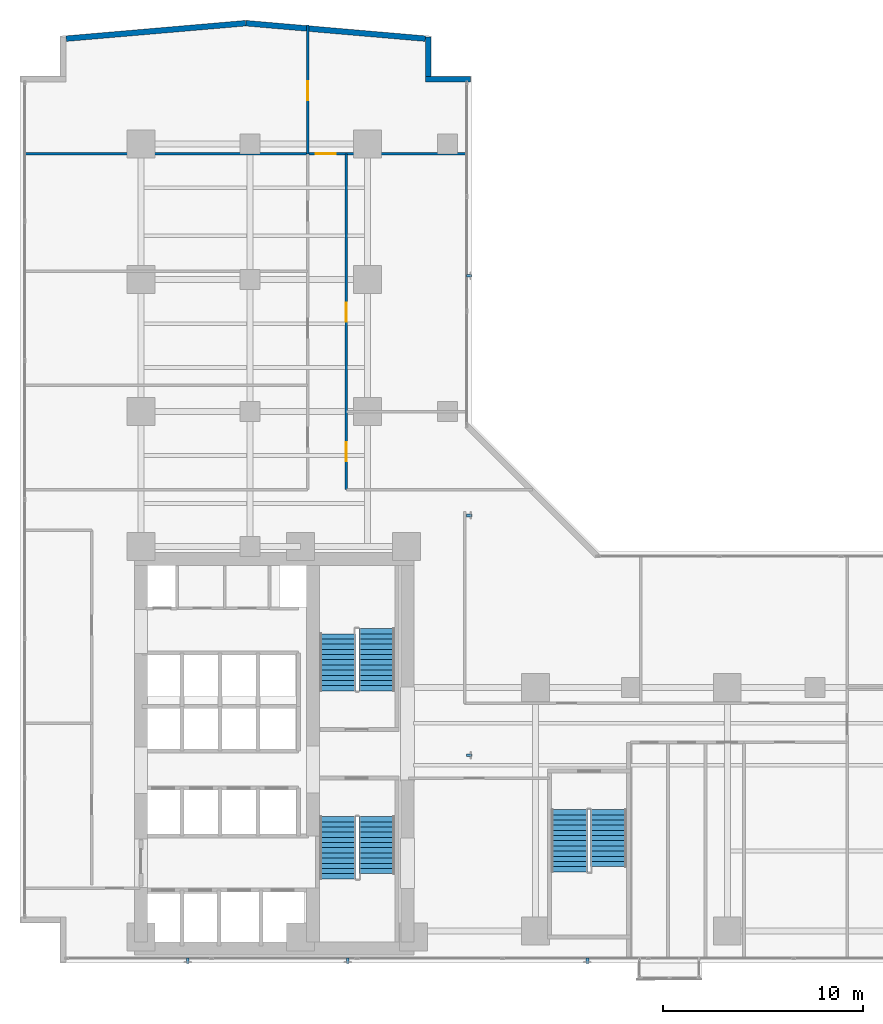
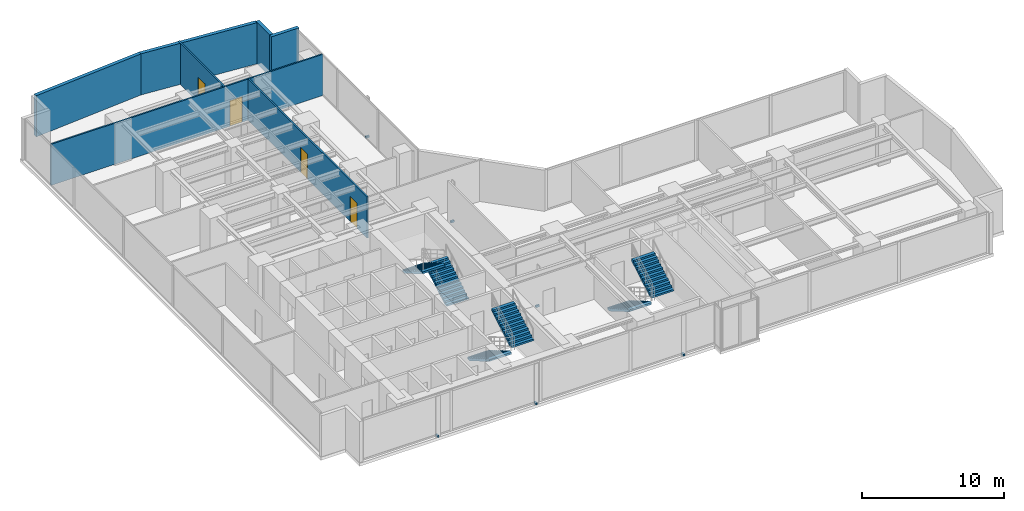
# One storey, part 23 of 26: 7 walls, 6 discrete accessories, 6 stair flights, 4 doors, 4 openings, 3 elements without a shape of their own.
"""IFC4 building model written with IfcOpenShell, lengths in metres."""

from ifc_helpers import new_model, si_unit, direction, frame, frame_2d, origin, origin_with_axes, origin_2d, place, context, subcontext, project, spatial, polyline, rectangle, outline, extrude, source, transform, mapped, material, layer, layer_set, type_object, element, fill, aggregate, save


model = new_model("IFC4")

# Units and contexts
model_context = context("Model", 3, precision=1e-05, world=origin(), true_north=direction((0.0, 1.0)))
body_context = subcontext(model_context, "Body", "Model", "MODEL_VIEW")
ifc_project = project(units=[si_unit("LENGTHUNIT", "METRE"), si_unit("AREAUNIT", "SQUARE_METRE"), si_unit("VOLUMEUNIT", "CUBIC_METRE"), si_unit("PLANEANGLEUNIT", "RADIAN"), si_unit("MASSUNIT", "GRAM", prefix="KILO")], contexts=[model_context])

# Site, building, storey
site_placement = place(None, origin())
site = spatial("IfcSite", under=ifc_project, at=site_placement, CompositionType="ELEMENT")
building_placement = place(site_placement, origin())
building = spatial("IfcBuilding", under=site, at=building_placement, Name="Kolvaren Waterfront Exchange", CompositionType="ELEMENT")
storey_placement = place(building_placement, frame((0.0, 0.0, 99.300048828125)))
storey = spatial("IfcBuildingStorey", under=building, at=storey_placement, Name="L25", CompositionType="ELEMENT", Elevation=99.300048828125)

# Walls
ifc_material_1 = material(Name="Precast concrete C40/50", Category="concrete")
ifc_layer_1 = layer(ifc_material_1, 0.280029296875, Name="Precast concrete C40/50")
ifc_layer_set_1 = layer_set([ifc_layer_1], Name="Precast concrete C40/50")
wall_type_1 = type_object("IfcWallType", Name="ARC-EXT-TERR-280", PredefinedType="SOLIDWALL", material=ifc_layer_set_1)
wall_1_placement = place(storey_placement, frame((21.699951171875, 47.840087890625, 0.0), z_axis=(0.0, 0.0, 1.0), x_axis=(1.0, 0.0, 0.0)))
element("IfcWall", 1, at=wall_1_placement, inside=storey, type_object=wall_type_1, Name="L25 notched corner spandrel pier NNE-A", PredefinedType="SOLIDWALL", context=body_context, shape_type="SweptSolid", body=[
    extrude(rectangle(XDim=2.239990234375, YDim=0.280029296875, at=frame_2d((1.1201171875, 0.0))), origin(), (0.0, 0.0, 1.0), 3.5400390625),
])
wall_2_placement = place(storey_placement, frame((21.840087890625, 47.97998046875, 0.0), z_axis=(0.0, 0.0, 1.0), x_axis=(0.0, 1.0, 0.0)))
element("IfcWall", 2, at=wall_2_placement, inside=storey, type_object=wall_type_1, Name="L25 notched corner spandrel pier NNE-B", PredefinedType="SOLIDWALL", context=body_context, shape_type="SweptSolid", body=[
    extrude(rectangle(XDim=1.9599609375, YDim=0.280029296875, at=frame_2d((0.97998046875, 0.0))), origin(), (0.0, 0.0, 1.0), 3.5400390625),
])
for number, where, z_axis, x_axis, name in (
    (3, (21.6875, 49.8662109375, 0.0), (0.0, 0.0, 1.0), (-0.996319339243, 0.085719159179, 0.0), "L25 north prow faceted facade wall 1"),
    (4, (12.69384765625, 50.638916015625, 0.0), (0.0, 0.0, 1.0), (-0.996319339243, -0.085719159179, 0.0), "L25 north prow faceted facade wall 2"),
):
    element("IfcWall", number, at=place(storey_placement, frame(where, z_axis=z_axis, x_axis=x_axis)), inside=storey, type_object=wall_type_1, Name=name, PredefinedType="SOLIDWALL", context=body_context, shape_type="SweptSolid", body=[
        extrude(rectangle(XDim=9.014404296875, YDim=0.280029296875, at=frame_2d((4.50732421875, 0.0))), origin(), (0.0, 0.0, 1.0), 3.5400390625),
    ])

# Wall, opening, door
ifc_material_2 = material(Name="Acoustic gypsum steel stud", Category="steel")
ifc_layer_2 = layer(ifc_material_2, 0.125, Name="Acoustic gypsum steel stud")
ifc_layer_set_2 = layer_set([ifc_layer_2], Name="Acoustic gypsum steel stud")
wall_type_2 = type_object("IfcWallType", Name="ARC-PART-125", PredefinedType="PARTITIONING", material=ifc_layer_set_2)
wall_3_placement = place(storey_placement, frame((1.639892578125, 44.10009765625, 0.0), z_axis=(0.0, 0.0, 1.0), x_axis=(1.0, 0.0, 0.0)))
wall_3 = element("IfcWall", 5, at=wall_3_placement, inside=storey, type_object=wall_type_2, Name="L25 interior wall PW-L25-NTIP-S", PredefinedType="PARTITIONING", context=body_context, shape_type="SweptSolid", body=[
    extrude(rectangle(XDim=22.1201171875, YDim=0.125, at=frame_2d((11.06005859375, 0.0))), origin(), (0.0, 0.0, 1.0), 3.5400390625),
])
opening_1_placement = place(wall_3_placement, frame((14.56005859375, 0.0, 0.0)))
opening_1 = element("IfcOpeningElement", 6, at=opening_1_placement, cuts=wall_3, Name="Opening D03", PredefinedType="OPENING", context=body_context, shape_type="SweptSolid", body=[
    extrude(rectangle(XDim=1.0, YDim=2.199951171875, at=frame_2d((0.5, 1.10009765625))), frame((0.0, 0.072509765625, 0.0), z_axis=(0.0, -1.0, 0.0), x_axis=(1.0, 0.0, 0.0)), (0.0, 0.0, 1.0), 0.14501953125),
])
ifc_material_3 = material(Name="Oak veneer accessible timber", Category="wood")
door_type_1 = type_object("IfcDoorType", Name="ARC-DR-1000", OperationType="NOTDEFINED", PredefinedType="DOOR", material=ifc_material_3)
door_1_placement = place(opening_1_placement, origin())
door_1 = element("IfcDoor", 7, at=door_1_placement, inside=storey, type_object=door_type_1, Name="L25 door DR-L25-NTIPE-D (D03)", OperationType="SINGLE_SWING_LEFT", OverallHeight=2.199951171875, OverallWidth=1.0, PredefinedType="DOOR", context=body_context, shape_type="SweptSolid", body=[
    extrude(rectangle(XDim=1.0, YDim=2.199951171875, at=frame_2d((0.5, 1.10009765625))), frame((0.0, 0.02490234375, 0.0), z_axis=(0.0, -1.0, 0.0), x_axis=(1.0, 0.0, 0.0)), (0.0, 0.0, 1.0), 0.050048828125),
])
fill(opening_1, door_1)

wall_4_placement = place(storey_placement, frame((15.800048828125, 44.10009765625, 0.0), z_axis=(0.0, 0.0, 1.0), x_axis=(0.0, 1.0, 0.0)))
wall_4 = element("IfcWall", 8, at=wall_4_placement, inside=storey, type_object=wall_type_2, Name="L25 interior wall PW-L25-NTIP-DIV", PredefinedType="PARTITIONING", context=body_context, shape_type="SweptSolid", body=[
    extrude(rectangle(XDim=6.4599609375, YDim=0.125, at=frame_2d((3.22998046875, 0.0))), origin(), (0.0, 0.0, 1.0), 3.5400390625),
])
opening_2_placement = place(wall_4_placement, frame((2.677490234375, 0.0, 0.0)))
opening_2 = element("IfcOpeningElement", 9, at=opening_2_placement, cuts=wall_4, Name="Opening D02", PredefinedType="OPENING", context=body_context, shape_type="SweptSolid", body=[
    extrude(rectangle(XDim=0.949951171875, YDim=2.14990234375, at=frame_2d((0.47509765625, 1.074951171875))), frame((0.0, 0.072509765625, 0.0), z_axis=(0.0, -1.0, 0.0), x_axis=(1.0, 0.0, 0.0)), (0.0, 0.0, 1.0), 0.14501953125),
])
ifc_material_4 = material(Name="Oak veneer acoustic timber", Category="wood")
door_type_2 = type_object("IfcDoorType", Name="ARC-DR-950", OperationType="NOTDEFINED", PredefinedType="DOOR", material=ifc_material_4)
door_2_placement = place(opening_2_placement, origin())
door_2 = element("IfcDoor", 10, at=door_2_placement, inside=storey, type_object=door_type_2, Name="L25 door DR-L25-NTIPW-D (D02)", OperationType="SINGLE_SWING_RIGHT", OverallHeight=2.14990234375, OverallWidth=0.949951171875, PredefinedType="DOOR", context=body_context, shape_type="SweptSolid", body=[
    extrude(rectangle(XDim=0.949951171875, YDim=2.14990234375, at=frame_2d((0.47509765625, 1.074951171875))), frame((0.0, 0.02490234375, 0.0), z_axis=(0.0, -1.0, 0.0), x_axis=(1.0, 0.0, 0.0)), (0.0, 0.0, 1.0), 0.050048828125),
])
fill(opening_2, door_2)

# Wall, openings, doors
wall_5_placement = place(storey_placement, frame((17.739990234375, 27.300048828125, 0.0), z_axis=(0.0, 0.0, 1.0), x_axis=(0.0, 1.0, 0.0)))
wall_5 = element("IfcWall", 11, at=wall_5_placement, inside=storey, type_object=wall_type_2, Name="L25 interior wall PW-L25-NE-CORR", PredefinedType="PARTITIONING", context=body_context, shape_type="SweptSolid", body=[
    extrude(rectangle(XDim=16.800048828125, YDim=0.125, at=frame_2d((8.39990234375, 0.0))), origin(), (0.0, 0.0, 1.0), 3.5400390625),
])
opening_3_placement = place(wall_5_placement, frame((1.4033203125, 0.0, 0.0)))
opening_3 = element("IfcOpeningElement", 12, at=opening_3_placement, cuts=wall_5, Name="Opening D02", PredefinedType="OPENING", context=body_context, shape_type="SweptSolid", body=[
    extrude(rectangle(XDim=0.949951171875, YDim=2.14990234375, at=frame_2d((0.47509765625, 1.074951171875))), frame((0.0, 0.072509765625, 0.0), z_axis=(0.0, -1.0, 0.0), x_axis=(1.0, 0.0, 0.0)), (0.0, 0.0, 1.0), 0.14501953125),
])
opening_4_placement = place(wall_5_placement, frame((8.39306640625, 0.0, 0.0)))
opening_4 = element("IfcOpeningElement", 13, at=opening_4_placement, cuts=wall_5, Name="Opening D02", PredefinedType="OPENING", context=body_context, shape_type="SweptSolid", body=[
    extrude(rectangle(XDim=0.949951171875, YDim=2.14990234375, at=frame_2d((0.47509765625, 1.074951171875))), frame((0.0, 0.072509765625, 0.0), z_axis=(0.0, -1.0, 0.0), x_axis=(1.0, 0.0, 0.0)), (0.0, 0.0, 1.0), 0.14501953125),
])
door_3_placement = place(opening_3_placement, origin())
door_3 = element("IfcDoor", 14, at=door_3_placement, inside=storey, type_object=door_type_2, Name="L25 door DR-L25-NE-D-1 (D02)", OperationType="SINGLE_SWING_LEFT", OverallHeight=2.14990234375, OverallWidth=0.949951171875, PredefinedType="DOOR", context=body_context, shape_type="SweptSolid", body=[
    extrude(rectangle(XDim=0.949951171875, YDim=2.14990234375, at=frame_2d((0.47509765625, 1.074951171875))), frame((0.0, 0.02490234375, 0.0), z_axis=(0.0, -1.0, 0.0), x_axis=(1.0, 0.0, 0.0)), (0.0, 0.0, 1.0), 0.050048828125),
])
fill(opening_3, door_3)
door_4_placement = place(opening_4_placement, origin())
door_4 = element("IfcDoor", 15, at=door_4_placement, inside=storey, type_object=door_type_2, Name="L25 door DR-L25-NE-D-2 (D02)", OperationType="SINGLE_SWING_RIGHT", OverallHeight=2.14990234375, OverallWidth=0.949951171875, PredefinedType="DOOR", context=body_context, shape_type="SweptSolid", body=[
    extrude(rectangle(XDim=0.949951171875, YDim=2.14990234375, at=frame_2d((0.47509765625, 1.074951171875))), frame((0.0, 0.02490234375, 0.0), z_axis=(0.0, -1.0, 0.0), x_axis=(1.0, 0.0, 0.0)), (0.0, 0.0, 1.0), 0.050048828125),
])
fill(opening_4, door_4)

# Stair, stair flights
ifc_material_5 = material(Name="Concrete C40/50", Category="concrete")
stair_type = type_object("IfcStairType", Name="ARC-STAIR-3800", PredefinedType="HALF_TURN_STAIR", material=ifc_material_5)
stair_1_placement = place(storey_placement, origin())
stair_1 = element("IfcStair", 16, at=stair_1_placement, inside=storey, type_object=stair_type, Name="L25 Smoke-proof exit stair ST1", PredefinedType="HALF_TURN_STAIR")
stair_flight_type = type_object("IfcStairFlightType", Name="ARC-FLIGHT-3800", PredefinedType="STRAIGHT", material=ifc_material_5)
stair_flight_1_placement = place(storey_placement, frame((17.300048828125, 10.929931640625, 0.0), z_axis=(0.0, 0.0, 1.0), x_axis=(0.0, -1.0, 0.0)))
stair_flight_1 = element("IfcStairFlight", 17, at=stair_flight_1_placement, type_object=stair_flight_type, Name="ST1 flight 1", NumberOfRisers=13, NumberOfTreads=12, PredefinedType="STRAIGHT", RiserHeight=0.152, TreadLength=0.26, context=body_context, shape_type="SweptSolid", body=[
    extrude(outline(polyline([(0.0, 0.0), (0.0, 0.152099609375), (0.260009765625, 0.152099609375), (0.260009765625, 0.303955078125), (0.52001953125, 0.303955078125), (0.52001953125, 0.4560546875), (0.780029296875, 0.4560546875), (0.780029296875, 0.60791015625), (1.0400390625, 0.60791015625), (1.0400390625, 0.760009765625), (1.300048828125, 0.760009765625), (1.300048828125, 0.912109375), (1.56005859375, 0.912109375), (1.56005859375, 1.06396484375), (1.820068359375, 1.06396484375), (1.820068359375, 1.216064453125), (2.080078125, 1.216064453125), (2.080078125, 1.367919921875), (2.340087890625, 1.367919921875), (2.340087890625, 1.52001953125), (2.60009765625, 1.52001953125), (2.60009765625, 1.672119140625), (2.860107421875, 1.672119140625), (2.860107421875, 1.823974609375), (3.1201171875, 1.823974609375), (3.1201171875, 1.97607421875), (3.1201171875, 1.650390625), (0.297119140625, 0.0), (0.0, 0.0)])), frame((0.0, 0.89990234375, 0.0), z_axis=(0.0, -1.0, 0.0), x_axis=(1.0, 0.0, 0.0)), (0.0, 0.0, 1.0), 1.800048828125),
])
stair_flight_2_placement = place(storey_placement, frame((19.260009765625, 8.070068359375, 1.975830078125), z_axis=(0.0, 0.0, 1.0), x_axis=(0.0, 1.0, 0.0)))
stair_flight_2 = element("IfcStairFlight", 18, at=stair_flight_2_placement, type_object=stair_flight_type, Name="ST1 flight 2", NumberOfRisers=12, NumberOfTreads=11, PredefinedType="STRAIGHT", RiserHeight=0.152, TreadLength=0.26, context=body_context, shape_type="SweptSolid", body=[
    extrude(outline(polyline([(0.0, 0.0), (0.0, 0.152099609375), (0.260009765625, 0.152099609375), (0.260009765625, 0.303955078125), (0.52001953125, 0.303955078125), (0.52001953125, 0.4560546875), (0.780029296875, 0.4560546875), (0.780029296875, 0.60791015625), (1.0400390625, 0.60791015625), (1.0400390625, 0.760009765625), (1.300048828125, 0.760009765625), (1.300048828125, 0.912109375), (1.56005859375, 0.912109375), (1.56005859375, 1.06396484375), (1.820068359375, 1.06396484375), (1.820068359375, 1.216064453125), (2.080078125, 1.216064453125), (2.080078125, 1.367919921875), (2.340087890625, 1.367919921875), (2.340087890625, 1.52001953125), (2.60009765625, 1.52001953125), (2.60009765625, 1.672119140625), (2.860107421875, 1.672119140625), (2.860107421875, 1.823974609375), (2.860107421875, 1.498291015625), (0.297119140625, 0.0), (0.0, 0.0)])), frame((0.0, 0.89990234375, 0.0), z_axis=(0.0, -1.0, 0.0), x_axis=(1.0, 0.0, 0.0)), (0.0, 0.0, 1.0), 1.800048828125),
])
aggregate(stair_1, [stair_flight_1, stair_flight_2])

stair_2_placement = place(storey_placement, origin())
stair_2 = element("IfcStair", 19, at=stair_2_placement, inside=storey, type_object=stair_type, Name="L25 Smoke-proof exit stair ST2", PredefinedType="HALF_TURN_STAIR")
stair_flight_3_placement = place(storey_placement, frame((19.260009765625, 17.219970703125, 0.0), z_axis=(0.0, 0.0, 1.0), x_axis=(0.0, 1.0, 0.0)))
stair_flight_3 = element("IfcStairFlight", 20, at=stair_flight_3_placement, type_object=stair_flight_type, Name="ST2 flight 1", NumberOfRisers=13, NumberOfTreads=12, PredefinedType="STRAIGHT", RiserHeight=0.152, TreadLength=0.26, context=body_context, shape_type="SweptSolid", body=[
    extrude(outline(polyline([(0.0, 0.0), (0.0, 0.152099609375), (0.260009765625, 0.152099609375), (0.260009765625, 0.303955078125), (0.52001953125, 0.303955078125), (0.52001953125, 0.4560546875), (0.780029296875, 0.4560546875), (0.780029296875, 0.60791015625), (1.0400390625, 0.60791015625), (1.0400390625, 0.760009765625), (1.300048828125, 0.760009765625), (1.300048828125, 0.912109375), (1.56005859375, 0.912109375), (1.56005859375, 1.06396484375), (1.820068359375, 1.06396484375), (1.820068359375, 1.216064453125), (2.080078125, 1.216064453125), (2.080078125, 1.367919921875), (2.340087890625, 1.367919921875), (2.340087890625, 1.52001953125), (2.60009765625, 1.52001953125), (2.60009765625, 1.672119140625), (2.860107421875, 1.672119140625), (2.860107421875, 1.823974609375), (3.1201171875, 1.823974609375), (3.1201171875, 1.97607421875), (3.1201171875, 1.650390625), (0.297119140625, 0.0), (0.0, 0.0)])), frame((0.0, 0.89990234375, 0.0), z_axis=(0.0, -1.0, 0.0), x_axis=(1.0, 0.0, 0.0)), (0.0, 0.0, 1.0), 1.800048828125),
])
stair_flight_4_placement = place(storey_placement, frame((17.300048828125, 20.080078125, 1.975830078125), z_axis=(0.0, 0.0, 1.0), x_axis=(0.0, -1.0, 0.0)))
stair_flight_4 = element("IfcStairFlight", 21, at=stair_flight_4_placement, type_object=stair_flight_type, Name="ST2 flight 2", NumberOfRisers=12, NumberOfTreads=11, PredefinedType="STRAIGHT", RiserHeight=0.152, TreadLength=0.26, context=body_context, shape_type="SweptSolid", body=[
    extrude(outline(polyline([(0.0, 0.0), (0.0, 0.152099609375), (0.260009765625, 0.152099609375), (0.260009765625, 0.303955078125), (0.52001953125, 0.303955078125), (0.52001953125, 0.4560546875), (0.780029296875, 0.4560546875), (0.780029296875, 0.60791015625), (1.0400390625, 0.60791015625), (1.0400390625, 0.760009765625), (1.300048828125, 0.760009765625), (1.300048828125, 0.912109375), (1.56005859375, 0.912109375), (1.56005859375, 1.06396484375), (1.820068359375, 1.06396484375), (1.820068359375, 1.216064453125), (2.080078125, 1.216064453125), (2.080078125, 1.367919921875), (2.340087890625, 1.367919921875), (2.340087890625, 1.52001953125), (2.60009765625, 1.52001953125), (2.60009765625, 1.672119140625), (2.860107421875, 1.672119140625), (2.860107421875, 1.823974609375), (2.860107421875, 1.498291015625), (0.297119140625, 0.0), (0.0, 0.0)])), frame((0.0, 0.89990234375, 0.0), z_axis=(0.0, -1.0, 0.0), x_axis=(1.0, 0.0, 0.0)), (0.0, 0.0, 1.0), 1.800048828125),
])
aggregate(stair_2, [stair_flight_3, stair_flight_4])

stair_3_placement = place(storey_placement, origin())
stair_3 = element("IfcStair", 22, at=stair_3_placement, inside=storey, type_object=stair_type, Name="L25 Exit stair ST3", PredefinedType="HALF_TURN_STAIR")
stair_flight_5_placement = place(storey_placement, frame((28.89990234375, 11.280029296875, 0.0), z_axis=(0.0, 0.0, 1.0), x_axis=(0.0, -1.0, 0.0)))
stair_flight_5 = element("IfcStairFlight", 23, at=stair_flight_5_placement, type_object=stair_flight_type, Name="ST3 flight 1", NumberOfRisers=13, NumberOfTreads=12, PredefinedType="STRAIGHT", RiserHeight=0.152, TreadLength=0.26, context=body_context, shape_type="SweptSolid", body=[
    extrude(outline(polyline([(0.0, 0.0), (0.0, 0.152099609375), (0.260009765625, 0.152099609375), (0.260009765625, 0.303955078125), (0.52001953125, 0.303955078125), (0.52001953125, 0.4560546875), (0.780029296875, 0.4560546875), (0.780029296875, 0.60791015625), (1.0400390625, 0.60791015625), (1.0400390625, 0.760009765625), (1.300048828125, 0.760009765625), (1.300048828125, 0.912109375), (1.56005859375, 0.912109375), (1.56005859375, 1.06396484375), (1.820068359375, 1.06396484375), (1.820068359375, 1.216064453125), (2.080078125, 1.216064453125), (2.080078125, 1.367919921875), (2.340087890625, 1.367919921875), (2.340087890625, 1.52001953125), (2.60009765625, 1.52001953125), (2.60009765625, 1.672119140625), (2.860107421875, 1.672119140625), (2.860107421875, 1.823974609375), (3.1201171875, 1.823974609375), (3.1201171875, 1.97607421875), (3.1201171875, 1.650390625), (0.297119140625, 0.0), (0.0, 0.0)])), frame((0.0, 0.89990234375, 0.0), z_axis=(0.0, -1.0, 0.0), x_axis=(1.0, 0.0, 0.0)), (0.0, 0.0, 1.0), 1.800048828125),
])
stair_flight_6_placement = place(storey_placement, frame((30.860107421875, 8.419921875, 1.975830078125), z_axis=(0.0, 0.0, 1.0), x_axis=(0.0, 1.0, 0.0)))
stair_flight_6 = element("IfcStairFlight", 24, at=stair_flight_6_placement, type_object=stair_flight_type, Name="ST3 flight 2", NumberOfRisers=12, NumberOfTreads=11, PredefinedType="STRAIGHT", RiserHeight=0.152, TreadLength=0.26, context=body_context, shape_type="SweptSolid", body=[
    extrude(outline(polyline([(0.0, 0.0), (0.0, 0.152099609375), (0.260009765625, 0.152099609375), (0.260009765625, 0.303955078125), (0.52001953125, 0.303955078125), (0.52001953125, 0.4560546875), (0.780029296875, 0.4560546875), (0.780029296875, 0.60791015625), (1.0400390625, 0.60791015625), (1.0400390625, 0.760009765625), (1.300048828125, 0.760009765625), (1.300048828125, 0.912109375), (1.56005859375, 0.912109375), (1.56005859375, 1.06396484375), (1.820068359375, 1.06396484375), (1.820068359375, 1.216064453125), (2.080078125, 1.216064453125), (2.080078125, 1.367919921875), (2.340087890625, 1.367919921875), (2.340087890625, 1.52001953125), (2.60009765625, 1.52001953125), (2.60009765625, 1.672119140625), (2.860107421875, 1.672119140625), (2.860107421875, 1.823974609375), (2.860107421875, 1.498291015625), (0.297119140625, 0.0), (0.0, 0.0)])), frame((0.0, 0.89990234375, 0.0), z_axis=(0.0, -1.0, 0.0), x_axis=(1.0, 0.0, 0.0)), (0.0, 0.0, 1.0), 1.800048828125),
])
aggregate(stair_3, [stair_flight_5, stair_flight_6])

# Discrete accessories
ifc_material_6 = material(Name="Stainless steel 316", Category="steel")
discrete_accessory_type = type_object("IfcDiscreteAccessoryType", Name="ARC-BRK-FIN", PredefinedType="BRACKET", material=ifc_material_6)
shared_shape = source(origin_with_axes(), body_context, "Body", "SweptSolid", [
    extrude(rectangle(XDim=0.280029296875, YDim=0.139892578125, at=origin_2d()), origin(), (0.0, 0.0, 1.0), 0.159912109375),
])
for number, where, z_axis, x_axis, name in (
    (25, (9.800048828125, 3.719970703125, 0.0), (0.0, 0.0, 1.0), (0.0, -1.0, 0.0), "L25 bronze fin anchor bracket FIN-L25-S1"),
    (26, (17.800048828125, 3.719970703125, 0.0), (0.0, 0.0, 1.0), (0.0, -1.0, 0.0), "L25 bronze fin anchor bracket FIN-L25-S2"),
    (27, (29.800048828125, 3.719970703125, 0.0), (0.0, 0.0, 1.0), (0.0, -1.0, 0.0), "L25 bronze fin anchor bracket FIN-L25-S3"),
    (28, (23.8798828125, 14.0, 0.0), (0.0, 0.0, 1.0), (1.0, 0.0, 0.0), "L25 bronze fin anchor bracket FIN-L25-E1"),
    (29, (23.8798828125, 26.0, 0.0), (0.0, 0.0, 1.0), (1.0, 0.0, 0.0), "L25 bronze fin anchor bracket FIN-L25-E2"),
    (30, (23.8798828125, 38.0, 0.0), (0.0, 0.0, 1.0), (1.0, 0.0, 0.0), "L25 bronze fin anchor bracket FIN-L25-E3"),
):
    element("IfcDiscreteAccessory", number, at=place(storey_placement, frame(where, z_axis=z_axis, x_axis=x_axis)), inside=storey, type_object=discrete_accessory_type, Name=name, PredefinedType="BRACKET", context=body_context, shape_type="MappedRepresentation", body=[
        mapped(shared_shape, transform((0.0, 0.0, 0.0), x_axis=(1.0, 0.0, 0.0), y_axis=(0.0, 1.0, 0.0), z_axis=(0.0, 0.0, 1.0), scale=1.0)),
    ])

save(model, "model.ifc")
